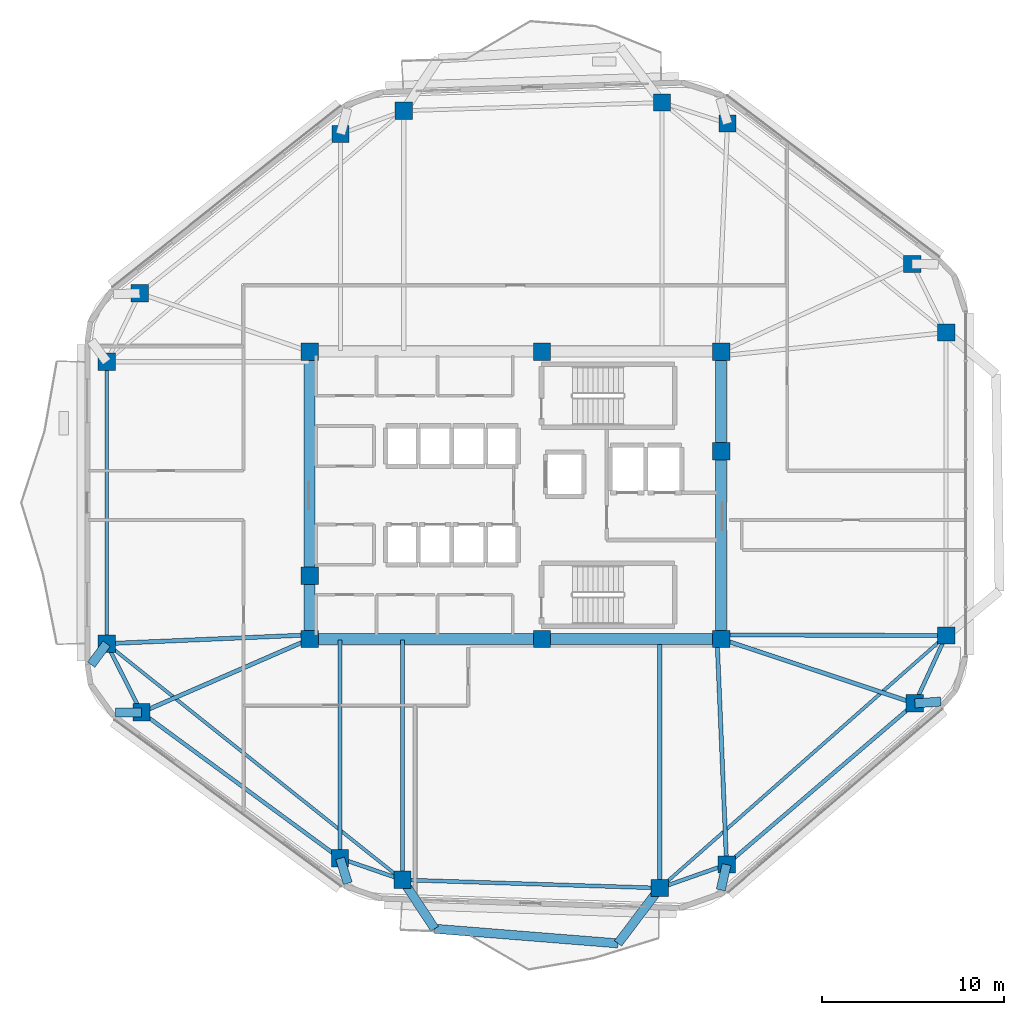
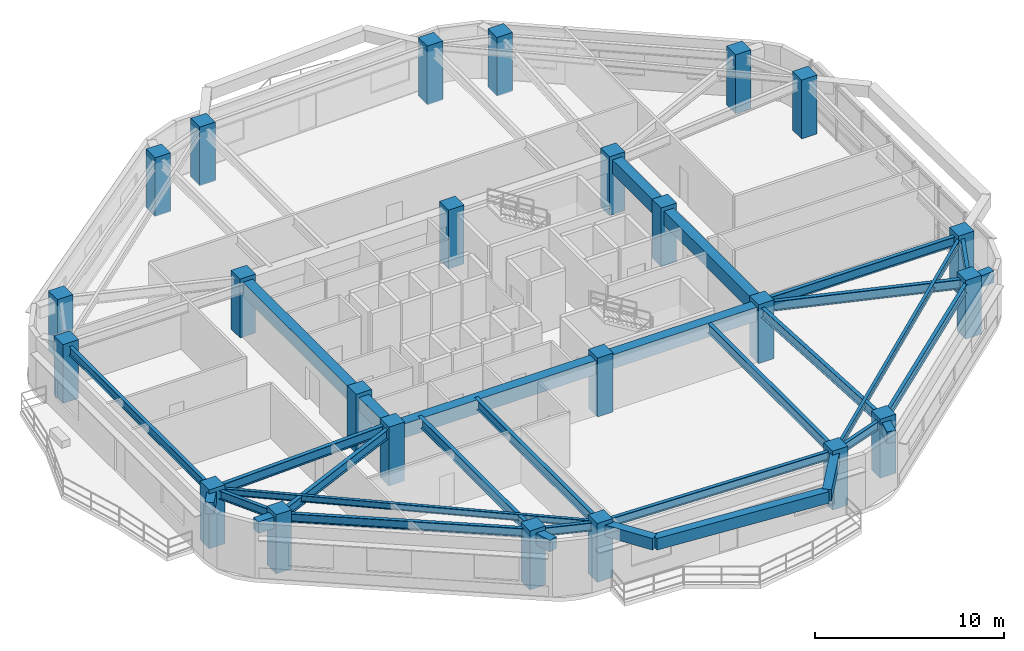
# One storey, part 1 of 14: 32 beams, 24 columns.
"""IFC4 building model written with IfcOpenShell, lengths in metres."""

from ifc_helpers import new_model, si_unit, direction, frame, origin, origin_2d, place, context, subcontext, project, spatial, rectangle, i_section, extrude, material, material_profile, profile_set, type_object, element, save


model = new_model("IFC4")

# Units and contexts
model_context = context("Model", 3, precision=1e-05, world=origin(), true_north=direction((0.0, 1.0)))
body_context = subcontext(model_context, "Body", "Model", "MODEL_VIEW")
ifc_project = project(units=[si_unit("LENGTHUNIT", "METRE"), si_unit("AREAUNIT", "SQUARE_METRE"), si_unit("VOLUMEUNIT", "CUBIC_METRE"), si_unit("PLANEANGLEUNIT", "RADIAN"), si_unit("MASSUNIT", "GRAM", prefix="KILO")], contexts=[model_context])

# Site, building, storey
site_placement = place(None, origin())
site = spatial("IfcSite", under=ifc_project, at=site_placement, CompositionType="ELEMENT")
building_placement = place(site_placement, origin())
building = spatial("IfcBuilding", under=site, at=building_placement, Name="Zulverin Broadcast Headquarters", CompositionType="ELEMENT")
storey_placement = place(building_placement, frame((0.0, 0.0, 178.199951171875)))
storey = spatial("IfcBuildingStorey", under=building, at=storey_placement, Name="L45", CompositionType="ELEMENT", Elevation=178.199951171875)

# Columns
ifc_material_1 = material(Name="Concrete C50/60", Category="concrete")
ifc_material_profile_1 = material_profile(ifc_material_1, rectangle(XDim=0.949951171875, YDim=0.949951171875, at=origin_2d()), Name="Concrete C50/60", Category="concrete")
ifc_profile_set_1 = profile_set([ifc_material_profile_1], Name="Concrete C50/60")
column_type_1 = type_object("IfcColumnType", Name="COL-RC-950", PredefinedType="COLUMN", material=ifc_profile_set_1)
for number, where, z_axis, x_axis, name in (
    (1, (30.80859375, 4.12744140625, 0.0), (0.0, 0.0, 1.0), (1.0, 0.0, 0.0), "L45 Perimeter Column T01"),
    (2, (44.909912109375, 3.68017578125, 0.0), (0.0, 0.0, 1.0), (1.0, 0.0, 0.0), "L45 Perimeter Column T02"),
    (3, (48.569580078125, 4.967041015625, 0.0), (0.0, 0.0, 1.0), (1.0, 0.0, 0.0), "L45 Perimeter Column T03"),
    (4, (58.886962890625, 13.798095703125, 0.0), (0.0, 0.0, 1.0), (1.0, 0.0, 0.0), "L45 Perimeter Column T04"),
    (5, (60.60009765625, 17.519287109375, 0.0), (0.0, 0.0, 1.0), (1.0, 0.0, 0.0), "L45 Perimeter Column T05"),
    (6, (60.60009765625, 34.12158203125, 0.0), (0.0, 0.0, 1.0), (1.0, 0.0, 0.0), "L45 Perimeter Column T06"),
    (7, (58.738037109375, 37.877685546875, 0.0), (0.0, 0.0, 1.0), (1.0, 0.0, 0.0), "L45 Perimeter Column T07"),
    (8, (48.62158203125, 45.574951171875, 0.0), (0.0, 0.0, 1.0), (1.0, 0.0, 0.0), "L45 Perimeter Column T08"),
    (9, (45.027587890625, 46.7236328125, 0.0), (0.0, 0.0, 1.0), (1.0, 0.0, 0.0), "L45 Perimeter Column T09"),
    (10, (30.882080078125, 46.27490234375, 0.0), (0.0, 0.0, 1.0), (1.0, 0.0, 0.0), "L45 Perimeter Column T10"),
    (11, (27.416259765625, 45.00439453125, 0.0), (0.0, 0.0, 1.0), (1.0, 0.0, 0.0), "L45 Perimeter Column T11"),
    (12, (16.40869140625, 36.26806640625, 0.0), (0.0, 0.0, 1.0), (1.0, 0.0, 0.0), "L45 Perimeter Column T12"),
    (13, (14.60009765625, 32.523193359375, 0.0), (0.0, 0.0, 1.0), (1.0, 0.0, 0.0), "L45 Perimeter Column T13"),
    (14, (14.60009765625, 17.072021484375, 0.0), (0.0, 0.0, 1.0), (1.0, 0.0, 0.0), "L45 Perimeter Column T14"),
    (15, (16.50537109375, 13.306884765625, 0.0), (0.0, 0.0, 1.0), (1.0, 0.0, 0.0), "L45 Perimeter Column T15"),
    (16, (27.38720703125, 5.309814453125, 0.0), (0.0, 0.0, 1.0), (1.0, 0.0, 0.0), "L45 Perimeter Column T16"),
):
    element("IfcColumn", number, at=place(storey_placement, frame(where, z_axis=z_axis, x_axis=x_axis)), inside=storey, type_object=column_type_1, Name=name, PredefinedType="COLUMN", context=body_context, shape_type="SweptSolid", body=[
        extrude(rectangle(XDim=0.949951171875, YDim=0.949951171875, at=origin_2d()), origin(), (0.0, 0.0, 1.0), 3.800048828125),
    ])
ifc_material_profile_2 = material_profile(ifc_material_1, rectangle(XDim=0.949951171875, YDim=0.949951171875, at=origin_2d()), Name="Concrete C50/60", Category="concrete")
ifc_profile_set_2 = profile_set([ifc_material_profile_2], Name="Concrete C50/60")
column_type_2 = type_object("IfcColumnType", Name="PIL-RC-950", PredefinedType="PILASTER", material=ifc_profile_set_2)
for number, where, z_axis, x_axis, name in (
    (17, (25.72509765625, 17.324951171875, 0.0), (0.0, 0.0, 1.0), (1.0, 0.0, 0.0), "L45 Core Pilaster K01"),
    (18, (38.449951171875, 17.324951171875, 0.0), (0.0, 0.0, 1.0), (1.0, 0.0, 0.0), "L45 Core Pilaster K02"),
    (19, (48.27490234375, 17.324951171875, 0.0), (0.0, 0.0, 1.0), (1.0, 0.0, 0.0), "L45 Core Pilaster K03"),
    (20, (48.27490234375, 27.6201171875, 0.0), (0.0, 0.0, 1.0), (1.0, 0.0, 0.0), "L45 Core Pilaster K04"),
    (21, (48.27490234375, 33.074951171875, 0.0), (0.0, 0.0, 1.0), (1.0, 0.0, 0.0), "L45 Core Pilaster K05"),
    (22, (38.449951171875, 33.074951171875, 0.0), (0.0, 0.0, 1.0), (1.0, 0.0, 0.0), "L45 Core Pilaster K06"),
    (23, (25.72509765625, 33.074951171875, 0.0), (0.0, 0.0, 1.0), (1.0, 0.0, 0.0), "L45 Core Pilaster K07"),
    (24, (25.72509765625, 20.800048828125, 0.0), (0.0, 0.0, 1.0), (1.0, 0.0, 0.0), "L45 Core Pilaster K08"),
):
    element("IfcColumn", number, at=place(storey_placement, frame(where, z_axis=z_axis, x_axis=x_axis)), inside=storey, type_object=column_type_2, Name=name, PredefinedType="PILASTER", context=body_context, shape_type="SweptSolid", body=[
        extrude(rectangle(XDim=0.949951171875, YDim=0.949951171875, at=origin_2d()), origin(), (0.0, 0.0, 1.0), 3.800048828125),
    ])

# Beams
ifc_material_2 = material(Name="Concrete C60/75", Category="concrete")
ifc_material_profile_3 = material_profile(ifc_material_2, rectangle(XDim=0.60009765625, YDim=0.89990234375, at=origin_2d()), Name="Concrete C60/75", Category="concrete")
ifc_profile_set_3 = profile_set([ifc_material_profile_3], Name="Concrete C60/75")
beam_type_1 = type_object("IfcBeamType", Name="BM-CB-600x900", PredefinedType="LINTEL", material=ifc_profile_set_3)
beam_1_placement = place(storey_placement, frame((25.72509765625, 17.324951171875, 3.090087890625), z_axis=(1.0, 0.0, 0.0), x_axis=(0.0, 1.0, 0.0)))
element("IfcBeam", 25, at=beam_1_placement, inside=storey, type_object=beam_type_1, Name="L45 Core Coupling Girder K01-K02", PredefinedType="LINTEL", context=body_context, shape_type="SweptSolid", body=[
    extrude(rectangle(XDim=0.60009765625, YDim=0.89990234375, at=origin_2d()), origin(), (0.0, 0.0, 1.0), 12.724853515625),
])
beam_2_placement = place(storey_placement, frame((38.449951171875, 17.324951171875, 3.090087890625), z_axis=(1.0, 0.0, 0.0), x_axis=(0.0, 1.0, 0.0)))
element("IfcBeam", 26, at=beam_2_placement, inside=storey, type_object=beam_type_1, Name="L45 Core Coupling Girder K02-K03", PredefinedType="LINTEL", context=body_context, shape_type="SweptSolid", body=[
    extrude(rectangle(XDim=0.60009765625, YDim=0.89990234375, at=origin_2d()), origin(), (0.0, 0.0, 1.0), 9.824951171875),
])
beam_3_placement = place(storey_placement, frame((48.27490234375, 17.324951171875, 3.090087890625), z_axis=(0.0, 1.0, 0.0), x_axis=(-1.0, 0.0, 0.0)))
element("IfcBeam", 27, at=beam_3_placement, inside=storey, type_object=beam_type_1, Name="L45 Core Coupling Girder K03-K04", PredefinedType="LINTEL", context=body_context, shape_type="SweptSolid", body=[
    extrude(rectangle(XDim=0.60009765625, YDim=0.89990234375, at=origin_2d()), origin(), (0.0, 0.0, 1.0), 10.295166015625),
])
beam_4_placement = place(storey_placement, frame((48.27490234375, 27.6201171875, 3.090087890625), z_axis=(0.0, 1.0, 0.0), x_axis=(-1.0, 0.0, 0.0)))
element("IfcBeam", 28, at=beam_4_placement, inside=storey, type_object=beam_type_1, Name="L45 Core Coupling Girder K04-K05", PredefinedType="LINTEL", context=body_context, shape_type="SweptSolid", body=[
    extrude(rectangle(XDim=0.60009765625, YDim=0.89990234375, at=origin_2d()), origin(), (0.0, 0.0, 1.0), 5.454833984375),
])
beam_5_placement = place(storey_placement, frame((25.72509765625, 33.074951171875, 3.090087890625), z_axis=(0.0, -1.0, 0.0), x_axis=(1.0, 0.0, 0.0)))
element("IfcBeam", 29, at=beam_5_placement, inside=storey, type_object=beam_type_1, Name="L45 Core Coupling Girder K07-K08", PredefinedType="LINTEL", context=body_context, shape_type="SweptSolid", body=[
    extrude(rectangle(XDim=0.60009765625, YDim=0.89990234375, at=origin_2d()), origin(), (0.0, 0.0, 1.0), 12.27490234375),
])
beam_6_placement = place(storey_placement, frame((25.72509765625, 20.800048828125, 3.090087890625), z_axis=(0.0, -1.0, 0.0), x_axis=(1.0, 0.0, 0.0)))
element("IfcBeam", 30, at=beam_6_placement, inside=storey, type_object=beam_type_1, Name="L45 Core Coupling Girder K08-K01", PredefinedType="LINTEL", context=body_context, shape_type="SweptSolid", body=[
    extrude(rectangle(XDim=0.60009765625, YDim=0.89990234375, at=origin_2d()), origin(), (0.0, 0.0, 1.0), 3.47509765625),
])
ifc_material_3 = material(Name="Concrete C40/50", Category="concrete")
ifc_material_profile_4 = material_profile(ifc_material_3, rectangle(XDim=0.5, YDim=0.75, at=origin_2d()), Name="Concrete C40/50", Category="concrete")
ifc_profile_set_4 = profile_set([ifc_material_profile_4], Name="Concrete C40/50")
beam_type_2 = type_object("IfcBeamType", Name="BM-RC-500x750", PredefinedType="BEAM", material=ifc_profile_set_4)
for number, where, z_axis, x_axis, name in (
    (31, (48.569580078125, 4.967041015625, 3.1650390625), (-0.224497908308, -0.974474570815, 0.0), (0.974474570815, -0.224497908308, 0.0), "L46 Plate Overhang Back-Spanned Beam OVR-03"),
    (32, (58.886962890625, 13.798095703125, 3.1650390625), (0.997450894981, 0.071356233801, 0.0), (-0.071356233801, 0.997450894981, 0.0), "L46 Plate Overhang Back-Spanned Beam OVR-04"),
    (33, (14.60009765625, 17.072021484375, 3.1650390625), (-0.594386261368, -0.80417968906, 0.0), (0.80417968906, -0.594386261368, 0.0), "L46 Plate Overhang Back-Spanned Beam OVR-14"),
):
    element("IfcBeam", number, at=place(storey_placement, frame(where, z_axis=z_axis, x_axis=x_axis)), inside=storey, type_object=beam_type_2, Name=name, PredefinedType="BEAM", context=body_context, shape_type="SweptSolid", body=[
        extrude(rectangle(XDim=0.5, YDim=0.75, at=origin_2d()), origin(), (0.0, 0.0, 1.0), 1.43017578125),
    ])
beam_7_placement = place(storey_placement, frame((16.50537109375, 13.306884765625, 3.1650390625), z_axis=(-0.999996268726, -0.002731763753, 0.0), x_axis=(0.002731763753, -0.999996268726, 0.0)))
element("IfcBeam", 34, at=beam_7_placement, inside=storey, type_object=beam_type_2, Name="L46 Plate Overhang Back-Spanned Beam OVR-15", PredefinedType="BEAM", context=body_context, shape_type="SweptSolid", body=[
    extrude(rectangle(XDim=0.5, YDim=0.75, at=origin_2d()), origin(), (0.0, 0.0, 1.0), 1.429931640625),
])
beam_8_placement = place(storey_placement, frame((27.38720703125, 5.309814453125, 3.1650390625), z_axis=(0.296184429368, -0.955130767905, 0.0), x_axis=(0.955130767905, 0.296184429368, 0.0)))
element("IfcBeam", 35, at=beam_8_placement, inside=storey, type_object=beam_type_2, Name="L46 Plate Overhang Back-Spanned Beam OVR-16", PredefinedType="BEAM", context=body_context, shape_type="SweptSolid", body=[
    extrude(rectangle(XDim=0.5, YDim=0.75, at=origin_2d()), origin(), (0.0, 0.0, 1.0), 1.43017578125),
])
beam_9_placement = place(storey_placement, frame((30.80859375, 4.12744140625, 3.1650390625), z_axis=(0.55075949628, -0.834663990632, 0.0), x_axis=(0.834663990632, 0.55075949628, 0.0)))
element("IfcBeam", 36, at=beam_9_placement, inside=storey, type_object=beam_type_2, Name="L46 Balcony Column-Framed Cantilever BAL_S-1", PredefinedType="BEAM", context=body_context, shape_type="SweptSolid", body=[
    extrude(rectangle(XDim=0.5, YDim=0.75, at=origin_2d()), origin(), (0.0, 0.0, 1.0), 3.20751953125),
])
beam_10_placement = place(storey_placement, frame((44.909912109375, 3.68017578125, 3.1650390625), z_axis=(-0.602566759329, -0.798068481116, 0.0), x_axis=(0.798068481116, -0.602566759329, 0.0)))
element("IfcBeam", 37, at=beam_10_placement, inside=storey, type_object=beam_type_2, Name="L46 Balcony Column-Framed Cantilever BAL_S-2", PredefinedType="BEAM", context=body_context, shape_type="SweptSolid", body=[
    extrude(rectangle(XDim=0.5, YDim=0.75, at=origin_2d()), origin(), (0.0, 0.0, 1.0), 3.800048828125),
])
beam_11_placement = place(storey_placement, frame((32.5751953125, 1.4501953125, 3.1650390625), z_axis=(0.996822054052, -0.079660483028, 0.0), x_axis=(0.079660483028, 0.996822054052, 0.0)))
element("IfcBeam", 38, at=beam_11_placement, inside=storey, type_object=beam_type_2, Name="L46 Balcony Outer Edge Trimmer Beam BAL_S", PredefinedType="BEAM", context=body_context, shape_type="SweptSolid", body=[
    extrude(rectangle(XDim=0.5, YDim=0.75, at=origin_2d()), origin(), (0.0, 0.0, 1.0), 10.076904296875),
])
ifc_material_4 = material(Name="Structural steel S355JR", Category="steel")
ifc_material_profile_5 = material_profile(ifc_material_4, i_section(OverallWidth=0.179443359375, OverallDepth=0.412841796875, WebThickness=0.009521484375, FlangeThickness=0.01611328125, at=origin_2d()), Name="Structural steel S355JR", Category="steel")
ifc_profile_set_5 = profile_set([ifc_material_profile_5], Name="Structural steel S355JR")
beam_type_3 = type_object("IfcBeamType", Name="BM-UB-406", PredefinedType="JOIST", material=ifc_profile_set_5)
beam_12_placement = place(storey_placement, frame((44.909912109375, 3.68017578125, 3.333740234375), z_axis=(0.74996043981, 0.661482682102, 0.0), x_axis=(-0.661482682102, 0.74996043981, 0.0)))
element("IfcBeam", 39, at=beam_12_placement, inside=storey, type_object=beam_type_3, Name="L45 Chordal Floor Joist J-01", PredefinedType="JOIST", context=body_context, shape_type="SweptSolid", body=[
    extrude(i_section(OverallWidth=0.179443359375, OverallDepth=0.412841796875, WebThickness=0.009521484375, FlangeThickness=0.01611328125, at=origin_2d()), origin(), (0.0, 0.0, 1.0), 20.92138671875),
])
beam_13_placement = place(storey_placement, frame((14.60009765625, 17.072021484375, 3.333740234375), z_axis=(0.781390996609, -0.624041753746, 0.0), x_axis=(0.624041753746, 0.781390996609, 0.0)))
element("IfcBeam", 40, at=beam_13_placement, inside=storey, type_object=beam_type_3, Name="L45 Chordal Floor Joist J-04", PredefinedType="JOIST", context=body_context, shape_type="SweptSolid", body=[
    extrude(i_section(OverallWidth=0.179443359375, OverallDepth=0.412841796875, WebThickness=0.009521484375, FlangeThickness=0.01611328125, at=origin_2d()), origin(), (0.0, 0.0, 1.0), 20.7431640625),
])
ifc_material_profile_6 = material_profile(ifc_material_4, i_section(OverallWidth=0.2119140625, OverallDepth=0.54443359375, WebThickness=0.0126953125, FlangeThickness=0.021240234375, at=origin_2d()), Name="Structural steel S355JR", Category="steel")
ifc_profile_set_6 = profile_set([ifc_material_profile_6], Name="Structural steel S355JR")
beam_type_4 = type_object("IfcBeamType", Name="BM-UB-533", PredefinedType="SPANDREL", material=ifc_profile_set_6)
beam_14_placement = place(storey_placement, frame((30.80859375, 4.12744140625, 3.267822265625), z_axis=(0.999497363437, -0.031702058031, 0.0), x_axis=(0.031702058031, 0.999497363437, 0.0)))
element("IfcBeam", 41, at=beam_14_placement, inside=storey, type_object=beam_type_4, Name="L45 Perimeter Spandrel Beam SP-01", PredefinedType="SPANDREL", context=body_context, shape_type="SweptSolid", body=[
    extrude(i_section(OverallWidth=0.2119140625, OverallDepth=0.54443359375, WebThickness=0.0126953125, FlangeThickness=0.021240234375, at=origin_2d()), origin(), (0.0, 0.0, 1.0), 14.1083984375),
])
beam_15_placement = place(storey_placement, frame((44.909912109375, 3.68017578125, 3.267822265625), z_axis=(0.943376593622, 0.331723684121, 0.0), x_axis=(-0.331723684121, 0.943376593622, 0.0)))
element("IfcBeam", 42, at=beam_15_placement, inside=storey, type_object=beam_type_4, Name="L45 Perimeter Spandrel Beam SP-02", PredefinedType="SPANDREL", context=body_context, shape_type="SweptSolid", body=[
    extrude(i_section(OverallWidth=0.2119140625, OverallDepth=0.54443359375, WebThickness=0.0126953125, FlangeThickness=0.021240234375, at=origin_2d()), origin(), (0.0, 0.0, 1.0), 3.87939453125),
])
beam_16_placement = place(storey_placement, frame((48.569580078125, 4.967041015625, 3.267822265625), z_axis=(0.759708170965, 0.650264173217, 0.0), x_axis=(-0.650264173217, 0.759708170965, 0.0)))
element("IfcBeam", 43, at=beam_16_placement, inside=storey, type_object=beam_type_4, Name="L45 Perimeter Spandrel Beam SP-03", PredefinedType="SPANDREL", context=body_context, shape_type="SweptSolid", body=[
    extrude(i_section(OverallWidth=0.2119140625, OverallDepth=0.54443359375, WebThickness=0.0126953125, FlangeThickness=0.021240234375, at=origin_2d()), origin(), (0.0, 0.0, 1.0), 13.580810546875),
])
beam_17_placement = place(storey_placement, frame((58.886962890625, 13.798095703125, 3.267822265625), z_axis=(0.418184975358, 0.90836189175, 0.0), x_axis=(-0.90836189175, 0.418184975358, 0.0)))
element("IfcBeam", 44, at=beam_17_placement, inside=storey, type_object=beam_type_4, Name="L45 Perimeter Spandrel Beam SP-04", PredefinedType="SPANDREL", context=body_context, shape_type="SweptSolid", body=[
    extrude(i_section(OverallWidth=0.2119140625, OverallDepth=0.54443359375, WebThickness=0.0126953125, FlangeThickness=0.021240234375, at=origin_2d()), origin(), (0.0, 0.0, 1.0), 4.0966796875),
])
beam_18_placement = place(storey_placement, frame((14.60009765625, 32.523193359375, 3.267822265625), z_axis=(0.0, -1.0, 0.0), x_axis=(1.0, 0.0, 0.0)))
element("IfcBeam", 45, at=beam_18_placement, inside=storey, type_object=beam_type_4, Name="L45 Perimeter Spandrel Beam SP-13", PredefinedType="SPANDREL", context=body_context, shape_type="SweptSolid", body=[
    extrude(i_section(OverallWidth=0.2119140625, OverallDepth=0.54443359375, WebThickness=0.0126953125, FlangeThickness=0.021240234375, at=origin_2d()), origin(), (0.0, 0.0, 1.0), 15.451171875),
])
beam_19_placement = place(storey_placement, frame((14.60009765625, 17.072021484375, 3.267822265625), z_axis=(0.451512947895, -0.892264567201, 0.0), x_axis=(0.892264567201, 0.451512947895, 0.0)))
element("IfcBeam", 46, at=beam_19_placement, inside=storey, type_object=beam_type_4, Name="L45 Perimeter Spandrel Beam SP-14", PredefinedType="SPANDREL", context=body_context, shape_type="SweptSolid", body=[
    extrude(i_section(OverallWidth=0.2119140625, OverallDepth=0.54443359375, WebThickness=0.0126953125, FlangeThickness=0.021240234375, at=origin_2d()), origin(), (0.0, 0.0, 1.0), 4.2197265625),
])
beam_20_placement = place(storey_placement, frame((16.50537109375, 13.306884765625, 3.267822265625), z_axis=(0.805802234061, -0.592184734338, 0.0), x_axis=(0.592184734338, 0.805802234061, 0.0)))
element("IfcBeam", 47, at=beam_20_placement, inside=storey, type_object=beam_type_4, Name="L45 Perimeter Spandrel Beam SP-15", PredefinedType="SPANDREL", context=body_context, shape_type="SweptSolid", body=[
    extrude(i_section(OverallWidth=0.2119140625, OverallDepth=0.54443359375, WebThickness=0.0126953125, FlangeThickness=0.021240234375, at=origin_2d()), origin(), (0.0, 0.0, 1.0), 13.50439453125),
])
beam_21_placement = place(storey_placement, frame((27.38720703125, 5.309814453125, 3.267822265625), z_axis=(0.945152732867, -0.326628705956, 0.0), x_axis=(0.326628705956, 0.945152732867, 0.0)))
element("IfcBeam", 48, at=beam_21_placement, inside=storey, type_object=beam_type_4, Name="L45 Perimeter Spandrel Beam SP-16", PredefinedType="SPANDREL", context=body_context, shape_type="SweptSolid", body=[
    extrude(i_section(OverallWidth=0.2119140625, OverallDepth=0.54443359375, WebThickness=0.0126953125, FlangeThickness=0.021240234375, at=origin_2d()), origin(), (0.0, 0.0, 1.0), 3.619873046875),
])
ifc_material_profile_7 = material_profile(ifc_material_4, i_section(OverallWidth=0.230224609375, OverallDepth=0.6171875, WebThickness=0.01318359375, FlangeThickness=0.022216796875, at=origin_2d()), Name="Structural steel S355JR", Category="steel")
ifc_profile_set_7 = profile_set([ifc_material_profile_7], Name="Structural steel S355JR")
beam_type_5 = type_object("IfcBeamType", Name="BM-UB-610", PredefinedType="BEAM", material=ifc_profile_set_7)
beam_22_placement = place(storey_placement, frame((30.80859375, 17.27490234375, 3.2314453125), z_axis=(0.0, -1.0, 0.0), x_axis=(1.0, 0.0, 0.0)))
element("IfcBeam", 49, at=beam_22_placement, inside=storey, type_object=beam_type_5, Name="L45 Radial Primary Floor Beam RB-01", PredefinedType="BEAM", context=body_context, shape_type="SweptSolid", body=[
    extrude(i_section(OverallWidth=0.230224609375, OverallDepth=0.6171875, WebThickness=0.01318359375, FlangeThickness=0.022216796875, at=origin_2d()), origin(), (0.0, 0.0, 1.0), 13.1474609375),
])
beam_23_placement = place(storey_placement, frame((44.909912109375, 17.27490234375, 3.2314453125), z_axis=(0.0, -1.0, 0.0), x_axis=(1.0, 0.0, 0.0)))
element("IfcBeam", 50, at=beam_23_placement, inside=storey, type_object=beam_type_5, Name="L45 Radial Primary Floor Beam RB-02", PredefinedType="BEAM", context=body_context, shape_type="SweptSolid", body=[
    extrude(i_section(OverallWidth=0.230224609375, OverallDepth=0.6171875, WebThickness=0.01318359375, FlangeThickness=0.022216796875, at=origin_2d()), origin(), (0.0, 0.0, 1.0), 13.5947265625),
])
beam_24_placement = place(storey_placement, frame((48.050048828125, 17.27490234375, 3.2314453125), z_axis=(0.042173778549, -0.99911029041, 0.0), x_axis=(0.99911029041, 0.042173778549, 0.0)))
element("IfcBeam", 51, at=beam_24_placement, inside=storey, type_object=beam_type_5, Name="L45 Radial Primary Floor Beam RB-03", PredefinedType="BEAM", context=body_context, shape_type="SweptSolid", body=[
    extrude(i_section(OverallWidth=0.230224609375, OverallDepth=0.6171875, WebThickness=0.01318359375, FlangeThickness=0.022216796875, at=origin_2d()), origin(), (0.0, 0.0, 1.0), 12.31884765625),
])
beam_25_placement = place(storey_placement, frame((48.27490234375, 17.324951171875, 3.2314453125), z_axis=(0.948964552547, -0.315382748432, 0.0), x_axis=(0.315382748432, 0.948964552547, 0.0)))
element("IfcBeam", 52, at=beam_25_placement, inside=storey, type_object=beam_type_5, Name="L45 Radial Primary Floor Beam RB-04", PredefinedType="BEAM", context=body_context, shape_type="SweptSolid", body=[
    extrude(i_section(OverallWidth=0.230224609375, OverallDepth=0.6171875, WebThickness=0.01318359375, FlangeThickness=0.022216796875, at=origin_2d()), origin(), (0.0, 0.0, 1.0), 11.182861328125),
])
beam_26_placement = place(storey_placement, frame((48.324951171875, 17.550048828125, 3.2314453125), z_axis=(0.999996859956, -0.002506008559, 0.0), x_axis=(0.002506008559, 0.999996859956, 0.0)))
element("IfcBeam", 53, at=beam_26_placement, inside=storey, type_object=beam_type_5, Name="L45 Radial Primary Floor Beam RB-05", PredefinedType="BEAM", context=body_context, shape_type="SweptSolid", body=[
    extrude(i_section(OverallWidth=0.230224609375, OverallDepth=0.6171875, WebThickness=0.01318359375, FlangeThickness=0.022216796875, at=origin_2d()), origin(), (0.0, 0.0, 1.0), 12.275146484375),
])
beam_27_placement = place(storey_placement, frame((25.675048828125, 17.550048828125, 3.2314453125), z_axis=(-0.999069780306, -0.043122779134, 0.0), x_axis=(0.043122779134, -0.999069780306, 0.0)))
element("IfcBeam", 54, at=beam_27_placement, inside=storey, type_object=beam_type_5, Name="L45 Radial Primary Floor Beam RB-14", PredefinedType="BEAM", context=body_context, shape_type="SweptSolid", body=[
    extrude(i_section(OverallWidth=0.230224609375, OverallDepth=0.6171875, WebThickness=0.01318359375, FlangeThickness=0.022216796875, at=origin_2d()), origin(), (0.0, 0.0, 1.0), 11.085205078125),
])
beam_28_placement = place(storey_placement, frame((25.72509765625, 17.324951171875, 3.2314453125), z_axis=(-0.916724690104, -0.39951951461, 0.0), x_axis=(0.39951951461, -0.916724690104, 0.0)))
element("IfcBeam", 55, at=beam_28_placement, inside=storey, type_object=beam_type_5, Name="L45 Radial Primary Floor Beam RB-15", PredefinedType="BEAM", context=body_context, shape_type="SweptSolid", body=[
    extrude(i_section(OverallWidth=0.230224609375, OverallDepth=0.6171875, WebThickness=0.01318359375, FlangeThickness=0.022216796875, at=origin_2d()), origin(), (0.0, 0.0, 1.0), 10.05712890625),
])
beam_29_placement = place(storey_placement, frame((27.38720703125, 17.27490234375, 3.2314453125), z_axis=(0.0, -1.0, 0.0), x_axis=(1.0, 0.0, 0.0)))
element("IfcBeam", 56, at=beam_29_placement, inside=storey, type_object=beam_type_5, Name="L45 Radial Primary Floor Beam RB-16", PredefinedType="BEAM", context=body_context, shape_type="SweptSolid", body=[
    extrude(i_section(OverallWidth=0.230224609375, OverallDepth=0.6171875, WebThickness=0.01318359375, FlangeThickness=0.022216796875, at=origin_2d()), origin(), (0.0, 0.0, 1.0), 11.965087890625),
])

save(model, "model.ifc")
